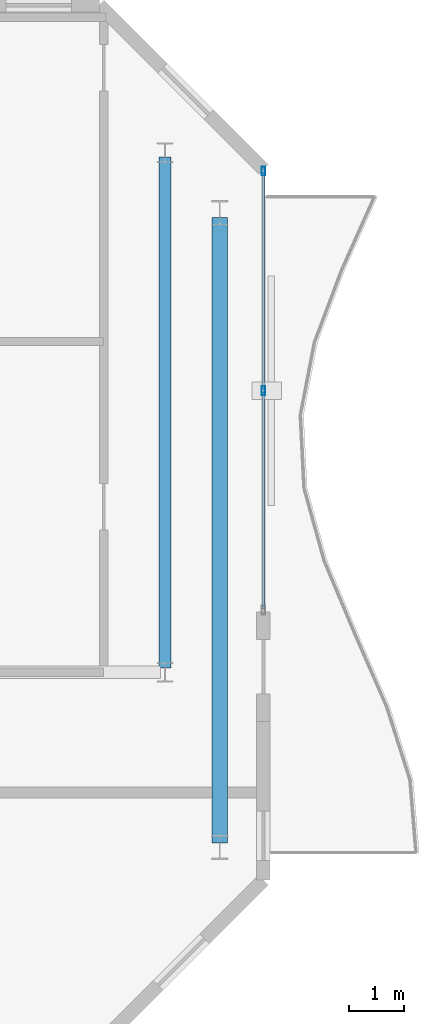
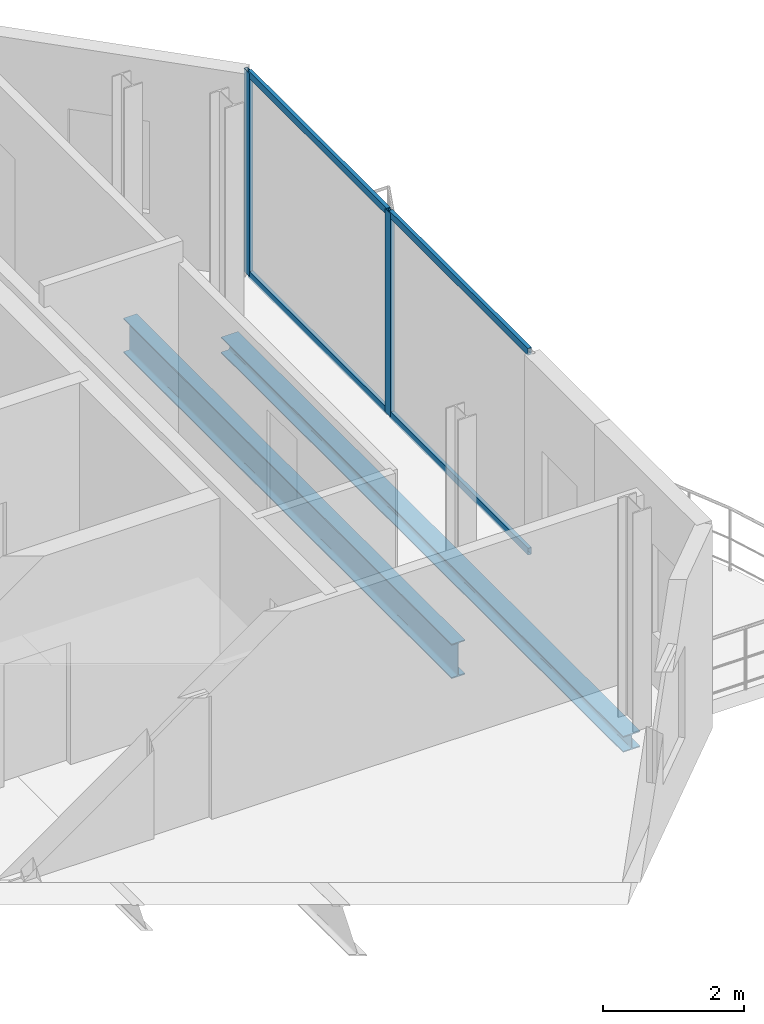
# One storey, part 15 of 23: 6 members, 2 beams, 1 element without a shape of its own.
"""IFC4 building model written with IfcOpenShell, lengths in metres."""

from ifc_helpers import new_model, si_unit, direction, frame, origin, origin_2d, place, context, subcontext, project, spatial, hollow_rectangle, i_section, extrude, material, layer, layer_set, material_profile, profile_set, type_object, element, aggregate, save


model = new_model("IFC4")

# Units and contexts
model_context = context("Model", 3, precision=1e-05, world=origin(), true_north=direction((0.0, 1.0)))
body_context = subcontext(model_context, "Body", "Model", "MODEL_VIEW")
ifc_project = project(units=[si_unit("LENGTHUNIT", "METRE"), si_unit("AREAUNIT", "SQUARE_METRE"), si_unit("VOLUMEUNIT", "CUBIC_METRE"), si_unit("PLANEANGLEUNIT", "RADIAN"), si_unit("MASSUNIT", "GRAM", prefix="KILO")], contexts=[model_context])

# Site, building, storey
site_placement = place(None, origin())
site = spatial("IfcSite", under=ifc_project, at=site_placement, CompositionType="ELEMENT")
building_placement = place(site_placement, origin())
building = spatial("IfcBuilding", under=site, at=building_placement, Name="Catumbela Crestline Tower", CompositionType="ELEMENT")
storey_placement = place(building_placement, frame((0.0, 0.0, 241.2)))
storey = spatial("IfcBuildingStorey", under=building, at=storey_placement, Name="L62", CompositionType="ELEMENT", Elevation=241.2)

# Beam
ifc_material_1 = material(Name="Structural steel S355J2", Category="steel")
ifc_material_profile_1 = material_profile(ifc_material_1, i_section(OverallWidth=0.22, OverallDepth=0.6, WebThickness=0.012, FlangeThickness=0.019, FilletRadius=0.024, at=origin_2d()), Name="IPE 600")
ifc_profile_set_1 = profile_set([ifc_material_profile_1], Name="Structural steel S355J2")
beam_type_1 = type_object("IfcBeamType", Name="BG-IPE600", PredefinedType="BEAM", material=ifc_profile_set_1)
beam_1_placement = place(storey_placement, frame((44.2, 30.88, -0.56), z_axis=(0.0, 1.0, 0.0), x_axis=(-1.0, 0.0, 0.0)))
element("IfcBeam", 1, at=beam_1_placement, inside=storey, type_object=beam_type_1, Name="L62 Beam BM-L62-SN19", PredefinedType="BEAM", context=body_context, shape_type="SweptSolid", body=[
    extrude(i_section(OverallWidth=0.22, OverallDepth=0.6, WebThickness=0.012, FlangeThickness=0.019, FilletRadius=0.024, at=origin_2d()), origin(), (0.0, 0.0, 1.0), 9.34),
])

# Curtain wall, members
ifc_material_2 = material(Name="Aluminium alloy AW-6060-T66", Category="aluminium")
ifc_layer = layer(ifc_material_2, 0.18, Name="Aluminium alloy AW-6060-T66")
ifc_layer_set = layer_set([ifc_layer], Name="Aluminium alloy AW-6060-T66")
curtain_wall_type = type_object("IfcCurtainWallType", Name="CWU-Z4", PredefinedType="USERDEFINED", material=ifc_layer_set)
curtain_wall_placement = place(storey_placement, origin())
curtain_wall = element("IfcCurtainWall", 2, at=curtain_wall_placement, inside=storey, type_object=curtain_wall_type, Name="L62 Unitised Curtain Wall CW-L62-E5S2", ObjectType="UNITISED", PredefinedType="USERDEFINED")
ifc_material_profile_2 = material_profile(ifc_material_2, hollow_rectangle(XDim=0.06, YDim=0.16, WallThickness=0.004, at=origin_2d()), Name="ALU 160x60x4")
ifc_profile_set_2 = profile_set([ifc_material_profile_2], Name="Aluminium alloy AW-6060-T66")
member_type_1 = type_object("IfcMemberType", Name="MUL-160X60", PredefinedType="MULLION", material=ifc_profile_set_2)
member_1_placement = place(storey_placement, frame((46.0, 35.95, 0.0), z_axis=(0.0, 0.0, 1.0), x_axis=(-1.0, 0.0, 0.0)))
member_1 = element("IfcMember", 3, at=member_1_placement, type_object=member_type_1, Name="CWU-Z4 mullion 2", PredefinedType="MULLION", context=body_context, shape_type="SweptSolid", body=[
    extrude(hollow_rectangle(XDim=0.06, YDim=0.16, WallThickness=0.004, at=origin_2d()), origin(), (0.0, 0.0, 1.0), 3.53),
])
member_2_placement = place(storey_placement, frame((46.0, 39.9675, 0.0), z_axis=(0.0, 0.0, 1.0), x_axis=(-1.0, 0.0, 0.0)))
member_2 = element("IfcMember", 4, at=member_2_placement, type_object=member_type_1, Name="CWU-Z4 mullion 3", PredefinedType="MULLION", context=body_context, shape_type="SweptSolid", body=[
    extrude(hollow_rectangle(XDim=0.06, YDim=0.16, WallThickness=0.004, at=origin_2d()), origin(), (0.0, 0.0, 1.0), 3.53),
])

# Beam
ifc_material_profile_3 = material_profile(ifc_material_1, i_section(OverallWidth=0.28, OverallDepth=0.28, WebThickness=0.0105, FlangeThickness=0.018, FilletRadius=0.024, at=origin_2d()), Name="HEB 280")
ifc_profile_set_3 = profile_set([ifc_material_profile_3], Name="Structural steel S355J2")
beam_type_2 = type_object("IfcBeamType", Name="BS-HEB280", PredefinedType="SPANDREL", material=ifc_profile_set_3)
beam_2_placement = place(storey_placement, frame((45.2, 27.68, -0.4), z_axis=(0.0, 1.0, 0.0), x_axis=(-1.0, 0.0, 0.0)))
element("IfcBeam", 5, at=beam_2_placement, inside=storey, type_object=beam_type_2, Name="L62 Spandrel SP-L62-SN20", PredefinedType="SPANDREL", context=body_context, shape_type="SweptSolid", body=[
    extrude(i_section(OverallWidth=0.28, OverallDepth=0.28, WebThickness=0.0105, FlangeThickness=0.018, FilletRadius=0.024, at=origin_2d()), origin(), (0.0, 0.0, 1.0), 11.44),
])

# Member
ifc_material_profile_4 = material_profile(ifc_material_2, hollow_rectangle(XDim=0.06, YDim=0.12, WallThickness=0.0035, at=origin_2d()), Name="ALU 120x60x3.5")
ifc_profile_set_4 = profile_set([ifc_material_profile_4], Name="Aluminium alloy AW-6060-T66")
member_type_2 = type_object("IfcMemberType", Name="TRN-120X60", PredefinedType="USERDEFINED", material=ifc_profile_set_4)
member_3_placement = place(storey_placement, frame((46.0, 31.965, 0.03), z_axis=(0.0, 1.0, 0.0), x_axis=(-1.0, 0.0, 0.0)))
member_3 = element("IfcMember", 6, at=member_3_placement, type_object=member_type_2, Name="CWU-Z4 transom 1.1", ObjectType="TRANSOM", PredefinedType="USERDEFINED", context=body_context, shape_type="SweptSolid", body=[
    extrude(hollow_rectangle(XDim=0.06, YDim=0.12, WallThickness=0.0035, at=origin_2d()), origin(), (0.0, 0.0, 1.0), 3.9525),
])

member_4_placement = place(storey_placement, frame((46.0, 31.965, 3.5), z_axis=(0.0, 1.0, 0.0), x_axis=(-1.0, 0.0, 0.0)))
member_4 = element("IfcMember", 7, at=member_4_placement, type_object=member_type_2, Name="CWU-Z4 transom 1.2", ObjectType="TRANSOM", PredefinedType="USERDEFINED", context=body_context, shape_type="SweptSolid", body=[
    extrude(hollow_rectangle(XDim=0.06, YDim=0.12, WallThickness=0.0035, at=origin_2d()), origin(), (0.0, 0.0, 1.0), 3.9525),
])

member_5_placement = place(storey_placement, frame((46.0, 35.9825, 0.03), z_axis=(0.0, 1.0, 0.0), x_axis=(-1.0, 0.0, 0.0)))
member_5 = element("IfcMember", 8, at=member_5_placement, type_object=member_type_2, Name="CWU-Z4 transom 2.1", ObjectType="TRANSOM", PredefinedType="USERDEFINED", context=body_context, shape_type="SweptSolid", body=[
    extrude(hollow_rectangle(XDim=0.06, YDim=0.12, WallThickness=0.0035, at=origin_2d()), origin(), (0.0, 0.0, 1.0), 3.9525),
])

member_6_placement = place(storey_placement, frame((46.0, 35.9825, 3.5), z_axis=(0.0, 1.0, 0.0), x_axis=(-1.0, 0.0, 0.0)))
member_6 = element("IfcMember", 9, at=member_6_placement, type_object=member_type_2, Name="CWU-Z4 transom 2.2", ObjectType="TRANSOM", PredefinedType="USERDEFINED", context=body_context, shape_type="SweptSolid", body=[
    extrude(hollow_rectangle(XDim=0.06, YDim=0.12, WallThickness=0.0035, at=origin_2d()), origin(), (0.0, 0.0, 1.0), 3.9525),
])

aggregate(curtain_wall, [member_1, member_2, member_3, member_4, member_5, member_6])

save(model, "model.ifc")
